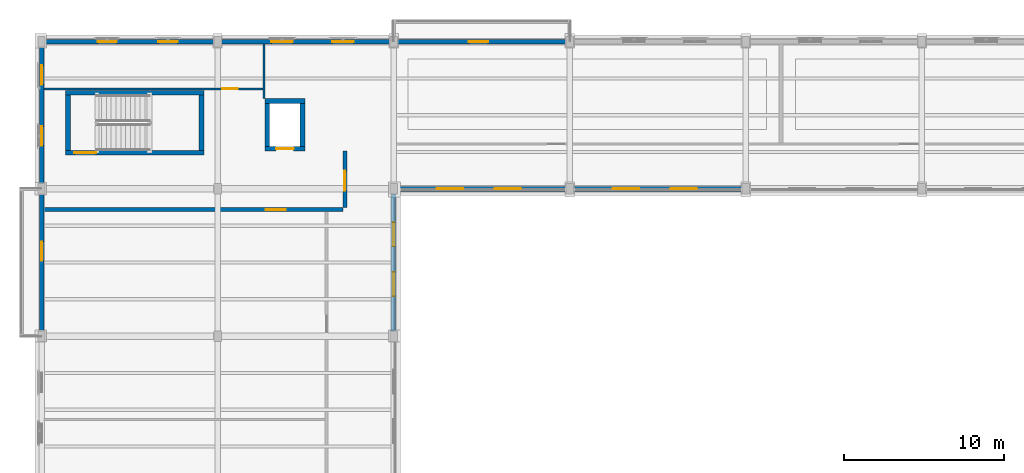
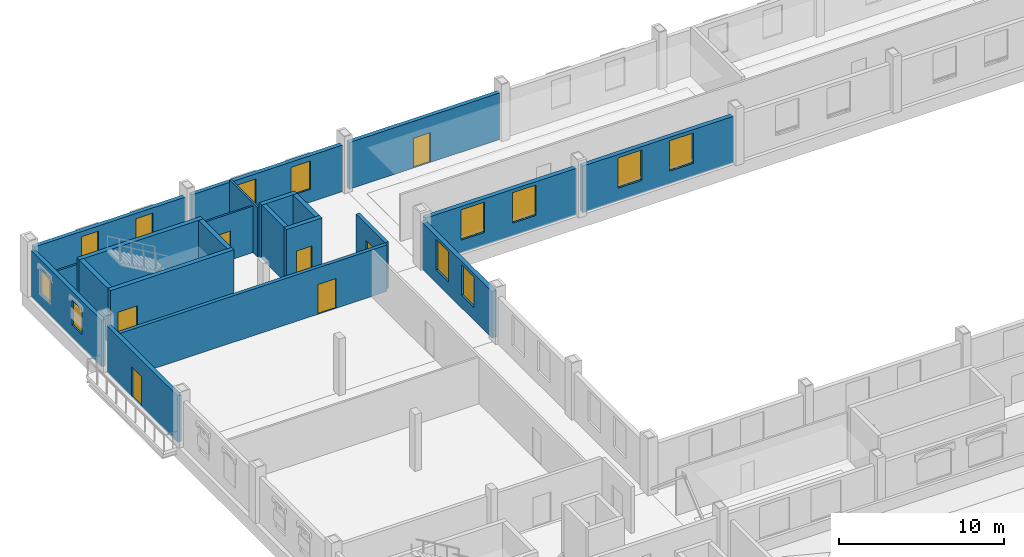
# One storey, part 26 of 43: 20 walls, 12 windows, 7 doors, 19 openings.
"""IFC4 building model written with IfcOpenShell, lengths in metres."""

from ifc_helpers import new_model, si_unit, direction, frame, frame_2d, origin, place, context, subcontext, project, spatial, rectangle, extrude, material, layer, layer_set, type_object, element, fill, save


model = new_model("IFC4")

# Units and contexts
model_context = context("Model", 3, precision=1e-05, world=origin(), true_north=direction((0.0, 1.0)))
body_context = subcontext(model_context, "Body", "Model", "MODEL_VIEW")
ifc_project = project(units=[si_unit("LENGTHUNIT", "METRE"), si_unit("AREAUNIT", "SQUARE_METRE"), si_unit("VOLUMEUNIT", "CUBIC_METRE"), si_unit("PLANEANGLEUNIT", "RADIAN"), si_unit("MASSUNIT", "GRAM", prefix="KILO")], contexts=[model_context])

# Site, building, storey
site_placement = place(None, origin())
site = spatial("IfcSite", under=ifc_project, at=site_placement, CompositionType="ELEMENT")
building_placement = place(site_placement, origin())
building = spatial("IfcBuilding", under=site, at=building_placement, Name="Caurita Quay Ferry Terminal", CompositionType="ELEMENT")
storey_placement = place(building_placement, frame((0.0, 0.0, 14.10009765625)))
storey = spatial("IfcBuildingStorey", under=building, at=storey_placement, Name="L03", CompositionType="ELEMENT", Elevation=14.10009765625)

# Wall, opening, door
ifc_material_1 = material(Name="Warm-white lime stucco masonry", Category="masonry")
ifc_layer_1 = layer(ifc_material_1, 0.239990234375, Name="Interior partitioning wall 240 mm")
ifc_layer_set_1 = layer_set([ifc_layer_1], Name="Warm-white lime stucco masonry")
wall_type_1 = type_object("IfcWallType", Name="WL-COMP-240", PredefinedType="PARTITIONING", material=ifc_layer_set_1)
wall_1_placement = place(storey_placement, frame((0.14501953125, 106.5, 0.0), z_axis=(0.0, 0.0, 1.0), x_axis=(1.0, 0.0, 0.0)))
wall_1 = element("IfcWall", 1, at=wall_1_placement, inside=storey, type_object=wall_type_1, Name="L03 Interior Partition IW-L03-100", PredefinedType="PARTITIONING", context=body_context, shape_type="SweptSolid", body=[
    extrude(rectangle(XDim=18.679931640625, YDim=0.239990234375, at=frame_2d((9.33984375, 0.0))), origin(), (0.0, 0.0, 1.0), 3.43896484375),
])
opening_1_placement = place(wall_1_placement, frame((13.85498046875, 0.0, 0.0)))
opening_1 = element("IfcOpeningElement", 2, at=opening_1_placement, cuts=wall_1, Name="Opening FD-01", PredefinedType="OPENING", context=body_context, shape_type="SweptSolid", body=[
    extrude(rectangle(XDim=1.25, YDim=2.199951171875, at=frame_2d((0.625, 1.10009765625))), frame((0.0, 0.1298828125, 0.0), z_axis=(0.0, -1.0, 0.0), x_axis=(1.0, 0.0, 0.0)), (0.0, 0.0, 1.0), 0.260009765625),
])
ifc_material_2 = material(Name="Anodized aluminium 6063-T6", Category="aluminium")
door_type_1 = type_object("IfcDoorType", Name="DR-FF-1100", OperationType="NOTDEFINED", PredefinedType="DOOR", material=ifc_material_2)
door_1_placement = place(opening_1_placement, origin())
door_1 = element("IfcDoor", 3, at=door_1_placement, inside=storey, type_object=door_type_1, Name="Firefighting Lobby L03 North Door", OperationType="SINGLE_SWING_LEFT", OverallHeight=2.199951171875, OverallWidth=1.25, PredefinedType="DOOR", context=body_context, shape_type="SweptSolid", body=[
    extrude(rectangle(XDim=1.25, YDim=2.199951171875, at=frame_2d((0.625, 1.10009765625))), frame((0.0, 0.02490234375, 0.0), z_axis=(0.0, -1.0, 0.0), x_axis=(1.0, 0.0, 0.0)), (0.0, 0.0, 1.0), 0.050048828125),
])
fill(opening_1, door_1)

wall_2_placement = place(storey_placement, frame((18.949951171875, 106.625, 0.0), z_axis=(0.0, 0.0, 1.0), x_axis=(0.0, 1.0, 0.0)))
wall_2 = element("IfcWall", 4, at=wall_2_placement, inside=storey, type_object=wall_type_1, Name="L03 Interior Partition IW-L03-104", PredefinedType="PARTITIONING", context=body_context, shape_type="SweptSolid", body=[
    extrude(rectangle(XDim=3.52490234375, YDim=0.239990234375, at=frame_2d((1.762451171875, 0.0))), origin(), (0.0, 0.0, 1.0), 3.4365234375),
])
opening_2_placement = place(wall_2_placement, frame((1.054931640625, 0.0, 0.0)))
opening_2 = element("IfcOpeningElement", 5, at=opening_2_placement, cuts=wall_2, Name="Opening FD-01", PredefinedType="OPENING", context=body_context, shape_type="SweptSolid", body=[
    extrude(rectangle(XDim=1.25, YDim=2.199951171875, at=frame_2d((0.625, 1.10009765625))), frame((0.0, 0.1298828125, 0.0), z_axis=(0.0, -1.0, 0.0), x_axis=(1.0, 0.0, 0.0)), (0.0, 0.0, 1.0), 0.260009765625),
])
door_2_placement = place(opening_2_placement, origin())
door_2 = element("IfcDoor", 6, at=door_2_placement, inside=storey, type_object=door_type_1, Name="Firefighting Lobby L03 North East Door", OperationType="SINGLE_SWING_LEFT", OverallHeight=2.199951171875, OverallWidth=1.25, PredefinedType="DOOR", context=body_context, shape_type="SweptSolid", body=[
    extrude(rectangle(XDim=1.25, YDim=2.199951171875, at=frame_2d((0.625, 1.10009765625))), frame((0.0, 0.02490234375, 0.0), z_axis=(0.0, -1.0, 0.0), x_axis=(1.0, 0.0, 0.0)), (0.0, 0.0, 1.0), 0.050048828125),
])
fill(opening_2, door_2)

ifc_material_3 = material(Name="Reinforced concrete C35/45", Category="concrete")
ifc_layer_2 = layer(ifc_material_3, 0.300048828125, Name="Interior shear wall 300 mm")
ifc_layer_set_2 = layer_set([ifc_layer_2], Name="Reinforced concrete C35/45")
wall_type_2 = type_object("IfcWallType", Name="WL-CORE-300", PredefinedType="SHEAR", material=ifc_layer_set_2)
wall_3_placement = place(storey_placement, frame((1.5, 110.050048828125, 0.0), z_axis=(0.0, 0.0, 1.0), x_axis=(1.0, 0.0, 0.0)))
wall_3 = element("IfcWall", 7, at=wall_3_placement, inside=storey, type_object=wall_type_2, Name="L03 ST-01 Core Wall South", PredefinedType="SHEAR", context=body_context, shape_type="SweptSolid", body=[
    extrude(rectangle(XDim=8.64990234375, YDim=0.300048828125, at=frame_2d((4.324951171875, 0.0))), origin(), (0.0, 0.0, 1.0), 3.97998046875),
])
opening_3_placement = place(wall_3_placement, frame((0.550048828125, 0.0, 0.0)))
opening_3 = element("IfcOpeningElement", 8, at=opening_3_placement, cuts=wall_3, Name="Opening SD-01", PredefinedType="OPENING", context=body_context, shape_type="SweptSolid", body=[
    extrude(rectangle(XDim=1.35009765625, YDim=2.199951171875, at=frame_2d((0.675048828125, 1.10009765625))), frame((0.0, 0.159912109375, 0.0), z_axis=(0.0, -1.0, 0.0), x_axis=(1.0, 0.0, 0.0)), (0.0, 0.0, 1.0), 0.320068359375),
])
door_type_2 = type_object("IfcDoorType", Name="DR-ST-1200", OperationType="NOTDEFINED", PredefinedType="DOOR", material=ifc_material_2)
door_3_placement = place(opening_3_placement, origin())
door_3 = element("IfcDoor", 9, at=door_3_placement, inside=storey, type_object=door_type_2, Name="L03 Exit Stair ST-01 Fire Door", OperationType="SINGLE_SWING_RIGHT", OverallHeight=2.199951171875, OverallWidth=1.35009765625, PredefinedType="DOOR", context=body_context, shape_type="SweptSolid", body=[
    extrude(rectangle(XDim=1.35009765625, YDim=2.199951171875, at=frame_2d((0.675048828125, 1.10009765625))), frame((0.0, 0.02490234375, 0.0), z_axis=(0.0, -1.0, 0.0), x_axis=(1.0, 0.0, 0.0)), (0.0, 0.0, 1.0), 0.050048828125),
])
fill(opening_3, door_3)

# Walls
wall_4_placement = place(storey_placement, frame((10.14990234375, 113.81005859375, 0.0), z_axis=(0.0, 0.0, 1.0), x_axis=(-1.0, 0.0, 0.0)))
element("IfcWall", 10, at=wall_4_placement, inside=storey, type_object=wall_type_2, Name="L03 ST-01 Core Wall North", PredefinedType="SHEAR", context=body_context, shape_type="SweptSolid", body=[
    extrude(rectangle(XDim=8.64990234375, YDim=0.300048828125, at=frame_2d((4.324951171875, 0.0))), origin(), (0.0, 0.0, 1.0), 3.97998046875),
])
for number, where, z_axis, x_axis, name in (
    (11, (1.64990234375, 113.659912109375, 0.0), (0.0, 0.0, 1.0), (0.0, -1.0, 0.0), "L03 ST-01 Core Wall West"),
    (12, (10.0, 110.199951171875, 0.0), (0.0, 0.0, 1.0), (0.0, 1.0, 0.0), "L03 ST-01 Core Wall East"),
):
    element("IfcWall", number, at=place(storey_placement, frame(where, z_axis=z_axis, x_axis=x_axis)), inside=storey, type_object=wall_type_2, Name=name, PredefinedType="SHEAR", context=body_context, shape_type="SweptSolid", body=[
        extrude(rectangle(XDim=3.4599609375, YDim=0.300048828125, at=frame_2d((1.72998046875, 0.0))), origin(), (0.0, 0.0, 1.0), 3.97998046875),
    ])

# Wall, opening, door
wall_5_placement = place(storey_placement, frame((13.955078125, 110.304931640625, 0.0), z_axis=(0.0, 0.0, 1.0), x_axis=(1.0, 0.0, 0.0)))
wall_5 = element("IfcWall", 13, at=wall_5_placement, inside=storey, type_object=wall_type_2, Name="L03 Lift LF-01 Shaft Wall South", PredefinedType="SHEAR", context=body_context, shape_type="SweptSolid", body=[
    extrude(rectangle(XDim=2.489990234375, YDim=0.300048828125, at=frame_2d((1.2451171875, 0.0))), origin(), (0.0, 0.0, 1.0), 3.97998046875),
])
opening_4_placement = place(wall_5_placement, frame((0.695068359375, 0.0, 0.0)))
opening_4 = element("IfcOpeningElement", 14, at=opening_4_placement, cuts=wall_5, Name="Opening LD-01", PredefinedType="OPENING", context=body_context, shape_type="SweptSolid", body=[
    extrude(rectangle(XDim=1.10009765625, YDim=2.14990234375, at=frame_2d((0.550048828125, 1.074951171875))), frame((0.0, 0.159912109375, 0.0), z_axis=(0.0, -1.0, 0.0), x_axis=(1.0, 0.0, 0.0)), (0.0, 0.0, 1.0), 0.320068359375),
])
ifc_material_4 = material(Name="Bronze architectural metalwork", Category="metal")
door_type_3 = type_object("IfcDoorType", Name="DR-LD-01", OperationType="DOUBLE_DOOR_SLIDING", PredefinedType="DOOR", material=ifc_material_4)
door_4_placement = place(opening_4_placement, frame((1.10009765625, 0.0, 0.0), z_axis=(0.0, 0.0, 1.0), x_axis=(-1.0, 0.0, 0.0)))
door_4 = element("IfcDoor", 15, at=door_4_placement, inside=storey, type_object=door_type_3, Name="L03 Lift LF-01 Sliding Landing Door", OperationType="DOUBLE_DOOR_SLIDING", OverallHeight=2.14990234375, OverallWidth=1.10009765625, PredefinedType="DOOR", context=body_context, shape_type="SweptSolid", body=[
    extrude(rectangle(XDim=1.10009765625, YDim=2.14990234375, at=frame_2d((0.550048828125, 1.074951171875))), frame((0.0, 0.02490234375, 0.0), z_axis=(0.0, -1.0, 0.0), x_axis=(1.0, 0.0, 0.0)), (0.0, 0.0, 1.0), 0.050048828125),
])
fill(opening_4, door_4)

# Walls
wall_6_placement = place(storey_placement, frame((16.445068359375, 113.294921875, 0.0), z_axis=(0.0, 0.0, 1.0), x_axis=(-1.0, 0.0, 0.0)))
element("IfcWall", 16, at=wall_6_placement, inside=storey, type_object=wall_type_2, Name="L03 Lift LF-01 Shaft Wall North", PredefinedType="SHEAR", context=body_context, shape_type="SweptSolid", body=[
    extrude(rectangle(XDim=2.489990234375, YDim=0.300048828125, at=frame_2d((1.2451171875, 0.0))), origin(), (0.0, 0.0, 1.0), 3.97998046875),
])
for number, where, z_axis, x_axis, name in (
    (17, (14.10498046875, 113.14501953125, 0.0), (0.0, 0.0, 1.0), (0.0, -1.0, 0.0), "L03 Lift LF-01 Shaft Wall West"),
    (18, (16.294921875, 110.455078125, 0.0), (0.0, 0.0, 1.0), (0.0, 1.0, 0.0), "L03 Lift LF-01 Shaft Wall East"),
):
    element("IfcWall", number, at=place(storey_placement, frame(where, z_axis=z_axis, x_axis=x_axis)), inside=storey, type_object=wall_type_2, Name=name, PredefinedType="SHEAR", context=body_context, shape_type="SweptSolid", body=[
        extrude(rectangle(XDim=2.68994140625, YDim=0.300048828125, at=frame_2d((1.344970703125, 0.0))), origin(), (0.0, 0.0, 1.0), 3.97998046875),
    ])

# Wall, openings, windows
ifc_layer_3 = layer(ifc_material_1, 0.280029296875, Name="Exterior solidwall wall 280 mm")
ifc_layer_set_3 = layer_set([ifc_layer_3], Name="Warm-white lime stucco masonry")
wall_type_3 = type_object("IfcWallType", Name="WL-EXT-280", PredefinedType="SOLIDWALL", material=ifc_layer_set_3)
wall_7_placement = place(storey_placement, frame((10.777099609375, 117.0, 0.0), z_axis=(0.0, 0.0, 1.0), x_axis=(-1.0, 0.0, 0.0)))
wall_7 = element("IfcWall", 19, at=wall_7_placement, inside=storey, type_object=wall_type_3, Name="L03 Exterior Wall EW-L03-024", PredefinedType="SOLIDWALL", context=body_context, shape_type="SweptSolid", body=[
    extrude(rectangle(XDim=10.55419921875, YDim=0.280029296875, at=frame_2d((5.277099609375, 0.0))), origin(), (0.0, 0.0, 1.0), 3.4365234375),
])
opening_5_placement = place(wall_7_placement, frame((2.277099609375, 0.0, 0.949951171875)))
opening_5 = element("IfcOpeningElement", 20, at=opening_5_placement, cuts=wall_7, Name="Opening W-04", PredefinedType="OPENING", context=body_context, shape_type="SweptSolid", body=[
    extrude(rectangle(XDim=1.199951171875, YDim=2.10009765625, at=frame_2d((0.60009765625, 1.050048828125))), frame((0.0, 0.14990234375, 0.0), z_axis=(0.0, -1.0, 0.0), x_axis=(1.0, 0.0, 0.0)), (0.0, 0.0, 1.0), 0.300048828125),
])
opening_6_placement = place(wall_7_placement, frame((6.076904296875, 0.0, 0.949951171875)))
opening_6 = element("IfcOpeningElement", 21, at=opening_6_placement, cuts=wall_7, Name="Opening W-04", PredefinedType="OPENING", context=body_context, shape_type="SweptSolid", body=[
    extrude(rectangle(XDim=1.199951171875, YDim=2.10009765625, at=frame_2d((0.60009765625, 1.050048828125))), frame((0.0, 0.14990234375, 0.0), z_axis=(0.0, -1.0, 0.0), x_axis=(1.0, 0.0, 0.0)), (0.0, 0.0, 1.0), 0.300048828125),
])
ifc_material_5 = material(Name="Laminated solar-control insulated glass", Category="glass")
window_type_1 = type_object("IfcWindowType", Name="WIN-SC-1221", PartitioningType="SINGLE_PANEL", PredefinedType="WINDOW", material=ifc_material_5)
window_1_placement = place(opening_5_placement, origin())
window_1 = element("IfcWindow", 22, at=window_1_placement, inside=storey, type_object=window_type_1, Name="L03 Casement Window WN-L03-033", OverallHeight=2.10009765625, OverallWidth=1.199951171875, PartitioningType="SINGLE_PANEL", PredefinedType="WINDOW", context=body_context, shape_type="SweptSolid", body=[
    extrude(rectangle(XDim=1.199951171875, YDim=2.10009765625, at=frame_2d((0.60009765625, 1.050048828125))), frame((0.0, 0.030029296875, 0.0), z_axis=(0.0, -1.0, 0.0), x_axis=(1.0, 0.0, 0.0)), (0.0, 0.0, 1.0), 0.06005859375),
])
fill(opening_5, window_1)
window_2_placement = place(opening_6_placement, origin())
window_2 = element("IfcWindow", 23, at=window_2_placement, inside=storey, type_object=window_type_1, Name="L03 Casement Window WN-L03-034", OverallHeight=2.10009765625, OverallWidth=1.199951171875, PartitioningType="SINGLE_PANEL", PredefinedType="WINDOW", context=body_context, shape_type="SweptSolid", body=[
    extrude(rectangle(XDim=1.199951171875, YDim=2.10009765625, at=frame_2d((0.60009765625, 1.050048828125))), frame((0.0, 0.030029296875, 0.0), z_axis=(0.0, -1.0, 0.0), x_axis=(1.0, 0.0, 0.0)), (0.0, 0.0, 1.0), 0.06005859375),
])
fill(opening_6, window_2)

wall_8_placement = place(storey_placement, frame((21.777099609375, 117.0, 0.0), z_axis=(0.0, 0.0, 1.0), x_axis=(-1.0, 0.0, 0.0)))
wall_8 = element("IfcWall", 24, at=wall_8_placement, inside=storey, type_object=wall_type_3, Name="L03 Exterior Wall EW-L03-025", PredefinedType="SOLIDWALL", context=body_context, shape_type="SweptSolid", body=[
    extrude(rectangle(XDim=10.55419921875, YDim=0.280029296875, at=frame_2d((5.277099609375, 0.0))), origin(), (0.0, 0.0, 1.0), 3.4365234375),
])
opening_7_placement = place(wall_8_placement, frame((2.277099609375, 0.0, 0.949951171875)))
opening_7 = element("IfcOpeningElement", 25, at=opening_7_placement, cuts=wall_8, Name="Opening W-05", PredefinedType="OPENING", context=body_context, shape_type="SweptSolid", body=[
    extrude(rectangle(XDim=1.35009765625, YDim=2.10009765625, at=frame_2d((0.675048828125, 1.050048828125))), frame((0.0, 0.14990234375, 0.0), z_axis=(0.0, -1.0, 0.0), x_axis=(1.0, 0.0, 0.0)), (0.0, 0.0, 1.0), 0.300048828125),
])
opening_8_placement = place(wall_8_placement, frame((6.076904296875, 0.0, 0.949951171875)))
opening_8 = element("IfcOpeningElement", 26, at=opening_8_placement, cuts=wall_8, Name="Opening W-05", PredefinedType="OPENING", context=body_context, shape_type="SweptSolid", body=[
    extrude(rectangle(XDim=1.35009765625, YDim=2.10009765625, at=frame_2d((0.675048828125, 1.050048828125))), frame((0.0, 0.14990234375, 0.0), z_axis=(0.0, -1.0, 0.0), x_axis=(1.0, 0.0, 0.0)), (0.0, 0.0, 1.0), 0.300048828125),
])
window_type_2 = type_object("IfcWindowType", Name="WIN-SC-13521", PartitioningType="SINGLE_PANEL", PredefinedType="WINDOW", material=ifc_material_5)
window_3_placement = place(opening_7_placement, origin())
window_3 = element("IfcWindow", 27, at=window_3_placement, inside=storey, type_object=window_type_2, Name="L03 Casement Window WN-L03-035", OverallHeight=2.10009765625, OverallWidth=1.35009765625, PartitioningType="SINGLE_PANEL", PredefinedType="WINDOW", context=body_context, shape_type="SweptSolid", body=[
    extrude(rectangle(XDim=1.35009765625, YDim=2.10009765625, at=frame_2d((0.675048828125, 1.050048828125))), frame((0.0, 0.030029296875, 0.0), z_axis=(0.0, -1.0, 0.0), x_axis=(1.0, 0.0, 0.0)), (0.0, 0.0, 1.0), 0.06005859375),
])
fill(opening_7, window_3)
window_4_placement = place(opening_8_placement, origin())
window_4 = element("IfcWindow", 28, at=window_4_placement, inside=storey, type_object=window_type_2, Name="L03 Casement Window WN-L03-036", OverallHeight=2.10009765625, OverallWidth=1.35009765625, PartitioningType="SINGLE_PANEL", PredefinedType="WINDOW", context=body_context, shape_type="SweptSolid", body=[
    extrude(rectangle(XDim=1.35009765625, YDim=2.10009765625, at=frame_2d((0.675048828125, 1.050048828125))), frame((0.0, 0.030029296875, 0.0), z_axis=(0.0, -1.0, 0.0), x_axis=(1.0, 0.0, 0.0)), (0.0, 0.0, 1.0), 0.06005859375),
])
fill(opening_8, window_4)

# Wall, opening, door
wall_9_placement = place(storey_placement, frame((32.777099609375, 117.0, 0.0), z_axis=(0.0, 0.0, 1.0), x_axis=(-1.0, 0.0, 0.0)))
wall_9 = element("IfcWall", 29, at=wall_9_placement, inside=storey, type_object=wall_type_3, Name="L03 Exterior Wall EW-L03-026", PredefinedType="SOLIDWALL", context=body_context, shape_type="SweptSolid", body=[
    extrude(rectangle(XDim=10.55419921875, YDim=0.280029296875, at=frame_2d((5.277099609375, 0.0))), origin(), (0.0, 0.0, 1.0), 3.4462890625),
])
opening_9_placement = place(wall_9_placement, frame((4.876953125, 0.0, 0.0)))
opening_9 = element("IfcOpeningElement", 30, at=opening_9_placement, cuts=wall_9, Name="Opening TD-01", PredefinedType="OPENING", context=body_context, shape_type="SweptSolid", body=[
    extrude(rectangle(XDim=1.199951171875, YDim=2.199951171875, at=frame_2d((0.60009765625, 1.10009765625))), frame((0.0, 0.14990234375, 0.0), z_axis=(0.0, -1.0, 0.0), x_axis=(1.0, 0.0, 0.0)), (0.0, 0.0, 1.0), 0.300048828125),
])
door_type_4 = type_object("IfcDoorType", Name="DR-TER-1222", OperationType="NOTDEFINED", PredefinedType="DOOR", material=ifc_material_2)
door_5_placement = place(opening_9_placement, frame((1.199951171875, 0.0, 0.0), z_axis=(0.0, 0.0, 1.0), x_axis=(-1.0, 0.0, 0.0)))
door_5 = element("IfcDoor", 31, at=door_5_placement, inside=storey, type_object=door_type_4, Name="L03 North Rejas Balcony Door TD-BN-L03", OperationType="SINGLE_SWING_RIGHT", OverallHeight=2.199951171875, OverallWidth=1.199951171875, PredefinedType="DOOR", context=body_context, shape_type="SweptSolid", body=[
    extrude(rectangle(XDim=1.199951171875, YDim=2.199951171875, at=frame_2d((0.60009765625, 1.10009765625))), frame((0.0, 0.02490234375, 0.0), z_axis=(0.0, -1.0, 0.0), x_axis=(1.0, 0.0, 0.0)), (0.0, 0.0, 1.0), 0.050048828125),
])
fill(opening_9, door_5)

wall_10_placement = place(storey_placement, frame((0.0, 107.47705078125, 0.0), z_axis=(0.0, 0.0, 1.0), x_axis=(0.0, -1.0, 0.0)))
wall_10 = element("IfcWall", 32, at=wall_10_placement, inside=storey, type_object=wall_type_3, Name="L03 Exterior Wall EW-L03-050", PredefinedType="SOLIDWALL", context=body_context, shape_type="SweptSolid", body=[
    extrude(rectangle(XDim=8.553955078125, YDim=0.280029296875, at=frame_2d((4.27685546875, 0.0))), origin(), (0.0, 0.0, 1.0), 3.43896484375),
])
opening_10_placement = place(wall_10_placement, frame((2.97705078125, 0.0, 0.0)))
opening_10 = element("IfcOpeningElement", 33, at=opening_10_placement, cuts=wall_10, Name="Opening TD-01", PredefinedType="OPENING", context=body_context, shape_type="SweptSolid", body=[
    extrude(rectangle(XDim=1.199951171875, YDim=2.199951171875, at=frame_2d((0.60009765625, 1.10009765625))), frame((0.0, 0.14990234375, 0.0), z_axis=(0.0, -1.0, 0.0), x_axis=(1.0, 0.0, 0.0)), (0.0, 0.0, 1.0), 0.300048828125),
])
door_6_placement = place(opening_10_placement, frame((1.199951171875, 0.0, 0.0), z_axis=(0.0, 0.0, 1.0), x_axis=(-1.0, 0.0, 0.0)))
door_6 = element("IfcDoor", 34, at=door_6_placement, inside=storey, type_object=door_type_4, Name="L03 Harbour Master Balcony Door TD-BW3", OperationType="SINGLE_SWING_LEFT", OverallHeight=2.199951171875, OverallWidth=1.199951171875, PredefinedType="DOOR", context=body_context, shape_type="SweptSolid", body=[
    extrude(rectangle(XDim=1.199951171875, YDim=2.199951171875, at=frame_2d((0.60009765625, 1.10009765625))), frame((0.0, 0.02490234375, 0.0), z_axis=(0.0, -1.0, 0.0), x_axis=(1.0, 0.0, 0.0)), (0.0, 0.0, 1.0), 0.050048828125),
])
fill(opening_10, door_6)

# Wall, openings, windows
wall_11_placement = place(storey_placement, frame((0.0, 116.677001953125, 0.0), z_axis=(0.0, 0.0, 1.0), x_axis=(0.0, -1.0, 0.0)))
wall_11 = element("IfcWall", 35, at=wall_11_placement, inside=storey, type_object=wall_type_3, Name="L03 Exterior Wall EW-L03-051", PredefinedType="SOLIDWALL", context=body_context, shape_type="SweptSolid", body=[
    extrude(rectangle(XDim=8.553955078125, YDim=0.280029296875, at=frame_2d((4.27685546875, 0.0))), origin(), (0.0, 0.0, 1.0), 3.43896484375),
])
opening_11_placement = place(wall_11_placement, frame((1.162109375, 0.0, 0.949951171875)))
opening_11 = element("IfcOpeningElement", 36, at=opening_11_placement, cuts=wall_11, Name="Opening W-03", PredefinedType="OPENING", context=body_context, shape_type="SweptSolid", body=[
    extrude(rectangle(XDim=1.199951171875, YDim=1.800048828125, at=frame_2d((0.60009765625, 0.89990234375))), frame((0.0, 0.14990234375, 0.0), z_axis=(0.0, -1.0, 0.0), x_axis=(1.0, 0.0, 0.0)), (0.0, 0.0, 1.0), 0.300048828125),
])
opening_12_placement = place(wall_11_placement, frame((4.97705078125, 0.0, 0.949951171875)))
opening_12 = element("IfcOpeningElement", 37, at=opening_12_placement, cuts=wall_11, Name="Opening W-03", PredefinedType="OPENING", context=body_context, shape_type="SweptSolid", body=[
    extrude(rectangle(XDim=1.199951171875, YDim=1.800048828125, at=frame_2d((0.60009765625, 0.89990234375))), frame((0.0, 0.14990234375, 0.0), z_axis=(0.0, -1.0, 0.0), x_axis=(1.0, 0.0, 0.0)), (0.0, 0.0, 1.0), 0.300048828125),
])
window_type_3 = type_object("IfcWindowType", Name="WIN-SC-1218", PartitioningType="SINGLE_PANEL", PredefinedType="WINDOW", material=ifc_material_5)
window_5_placement = place(opening_11_placement, origin())
window_5 = element("IfcWindow", 38, at=window_5_placement, inside=storey, type_object=window_type_3, Name="L03 Casement Window WN-L03-075", OverallHeight=1.800048828125, OverallWidth=1.199951171875, PartitioningType="SINGLE_PANEL", PredefinedType="WINDOW", context=body_context, shape_type="SweptSolid", body=[
    extrude(rectangle(XDim=1.199951171875, YDim=1.800048828125, at=frame_2d((0.60009765625, 0.89990234375))), frame((0.0, 0.030029296875, 0.0), z_axis=(0.0, -1.0, 0.0), x_axis=(1.0, 0.0, 0.0)), (0.0, 0.0, 1.0), 0.06005859375),
])
fill(opening_11, window_5)
window_6_placement = place(opening_12_placement, origin())
window_6 = element("IfcWindow", 39, at=window_6_placement, inside=storey, type_object=window_type_3, Name="L03 Casement Window WN-L03-076", OverallHeight=1.800048828125, OverallWidth=1.199951171875, PartitioningType="SINGLE_PANEL", PredefinedType="WINDOW", context=body_context, shape_type="SweptSolid", body=[
    extrude(rectangle(XDim=1.199951171875, YDim=1.800048828125, at=frame_2d((0.60009765625, 0.89990234375))), frame((0.0, 0.030029296875, 0.0), z_axis=(0.0, -1.0, 0.0), x_axis=(1.0, 0.0, 0.0)), (0.0, 0.0, 1.0), 0.06005859375),
])
fill(opening_12, window_6)

ifc_layer_4 = layer(ifc_material_1, 0.31005859375, Name="Exterior solidwall wall 310 mm")
ifc_layer_set_4 = layer_set([ifc_layer_4], Name="Warm-white lime stucco masonry")
wall_type_4 = type_object("IfcWallType", Name="WL-EXT-310", PredefinedType="SOLIDWALL", material=ifc_layer_set_4)
wall_12_placement = place(storey_placement, frame((22.222900390625, 107.800048828125, 0.0), z_axis=(0.0, 0.0, 1.0), x_axis=(1.0, 0.0, 0.0)))
wall_12 = element("IfcWall", 40, at=wall_12_placement, inside=storey, type_object=wall_type_4, Name="L03 Exterior Wall EW-L03-118", PredefinedType="SOLIDWALL", context=body_context, shape_type="SweptSolid", body=[
    extrude(rectangle(XDim=10.55419921875, YDim=0.31005859375, at=frame_2d((5.277099609375, 0.0))), origin(), (0.0, 0.0, 1.0), 3.4462890625),
])
opening_13_placement = place(wall_12_placement, frame((2.47705078125, 0.0, 0.949951171875)))
opening_13 = element("IfcOpeningElement", 41, at=opening_13_placement, cuts=wall_12, Name="Opening W-08", PredefinedType="OPENING", context=body_context, shape_type="SweptSolid", body=[
    extrude(rectangle(XDim=1.64990234375, YDim=2.25, at=frame_2d((0.824951171875, 1.125))), frame((0.0, 0.1650390625, 0.0), z_axis=(0.0, -1.0, 0.0), x_axis=(1.0, 0.0, 0.0)), (0.0, 0.0, 1.0), 0.330078125),
])
opening_14_placement = place(wall_12_placement, frame((6.076904296875, 0.0, 0.949951171875)))
opening_14 = element("IfcOpeningElement", 42, at=opening_14_placement, cuts=wall_12, Name="Opening W-08", PredefinedType="OPENING", context=body_context, shape_type="SweptSolid", body=[
    extrude(rectangle(XDim=1.64990234375, YDim=2.25, at=frame_2d((0.824951171875, 1.125))), frame((0.0, 0.1650390625, 0.0), z_axis=(0.0, -1.0, 0.0), x_axis=(1.0, 0.0, 0.0)), (0.0, 0.0, 1.0), 0.330078125),
])
window_type_4 = type_object("IfcWindowType", Name="WIN-SC-16522", PartitioningType="SINGLE_PANEL", PredefinedType="WINDOW", material=ifc_material_5)
window_7_placement = place(opening_13_placement, origin())
window_7 = element("IfcWindow", 43, at=window_7_placement, inside=storey, type_object=window_type_4, Name="L03 Casement Window WN-L03-175", OverallHeight=2.25, OverallWidth=1.64990234375, PartitioningType="SINGLE_PANEL", PredefinedType="WINDOW", context=body_context, shape_type="SweptSolid", body=[
    extrude(rectangle(XDim=1.64990234375, YDim=2.25, at=frame_2d((0.824951171875, 1.125))), frame((0.0, 0.030029296875, 0.0), z_axis=(0.0, -1.0, 0.0), x_axis=(1.0, 0.0, 0.0)), (0.0, 0.0, 1.0), 0.06005859375),
])
fill(opening_13, window_7)
window_8_placement = place(opening_14_placement, origin())
window_8 = element("IfcWindow", 44, at=window_8_placement, inside=storey, type_object=window_type_4, Name="L03 Casement Window WN-L03-176", OverallHeight=2.25, OverallWidth=1.64990234375, PartitioningType="SINGLE_PANEL", PredefinedType="WINDOW", context=body_context, shape_type="SweptSolid", body=[
    extrude(rectangle(XDim=1.64990234375, YDim=2.25, at=frame_2d((0.824951171875, 1.125))), frame((0.0, 0.030029296875, 0.0), z_axis=(0.0, -1.0, 0.0), x_axis=(1.0, 0.0, 0.0)), (0.0, 0.0, 1.0), 0.06005859375),
])
fill(opening_14, window_8)

wall_13_placement = place(storey_placement, frame((33.222900390625, 107.800048828125, 0.0), z_axis=(0.0, 0.0, 1.0), x_axis=(1.0, 0.0, 0.0)))
wall_13 = element("IfcWall", 45, at=wall_13_placement, inside=storey, type_object=wall_type_4, Name="L03 Exterior Wall EW-L03-119", PredefinedType="SOLIDWALL", context=body_context, shape_type="SweptSolid", body=[
    extrude(rectangle(XDim=10.55419921875, YDim=0.31005859375, at=frame_2d((5.277099609375, 0.0))), origin(), (0.0, 0.0, 1.0), 3.4462890625),
])
opening_15_placement = place(wall_13_placement, frame((2.47705078125, 0.0, 0.949951171875)))
opening_15 = element("IfcOpeningElement", 46, at=opening_15_placement, cuts=wall_13, Name="Opening W-08", PredefinedType="OPENING", context=body_context, shape_type="SweptSolid", body=[
    extrude(rectangle(XDim=1.64990234375, YDim=2.25, at=frame_2d((0.824951171875, 1.125))), frame((0.0, 0.1650390625, 0.0), z_axis=(0.0, -1.0, 0.0), x_axis=(1.0, 0.0, 0.0)), (0.0, 0.0, 1.0), 0.330078125),
])
opening_16_placement = place(wall_13_placement, frame((6.076904296875, 0.0, 0.949951171875)))
opening_16 = element("IfcOpeningElement", 47, at=opening_16_placement, cuts=wall_13, Name="Opening W-08", PredefinedType="OPENING", context=body_context, shape_type="SweptSolid", body=[
    extrude(rectangle(XDim=1.64990234375, YDim=2.25, at=frame_2d((0.824951171875, 1.125))), frame((0.0, 0.1650390625, 0.0), z_axis=(0.0, -1.0, 0.0), x_axis=(1.0, 0.0, 0.0)), (0.0, 0.0, 1.0), 0.330078125),
])
window_9_placement = place(opening_15_placement, origin())
window_9 = element("IfcWindow", 48, at=window_9_placement, inside=storey, type_object=window_type_4, Name="L03 Casement Window WN-L03-177", OverallHeight=2.25, OverallWidth=1.64990234375, PartitioningType="SINGLE_PANEL", PredefinedType="WINDOW", context=body_context, shape_type="SweptSolid", body=[
    extrude(rectangle(XDim=1.64990234375, YDim=2.25, at=frame_2d((0.824951171875, 1.125))), frame((0.0, 0.030029296875, 0.0), z_axis=(0.0, -1.0, 0.0), x_axis=(1.0, 0.0, 0.0)), (0.0, 0.0, 1.0), 0.06005859375),
])
fill(opening_15, window_9)
window_10_placement = place(opening_16_placement, origin())
window_10 = element("IfcWindow", 49, at=window_10_placement, inside=storey, type_object=window_type_4, Name="L03 Casement Window WN-L03-178", OverallHeight=2.25, OverallWidth=1.64990234375, PartitioningType="SINGLE_PANEL", PredefinedType="WINDOW", context=body_context, shape_type="SweptSolid", body=[
    extrude(rectangle(XDim=1.64990234375, YDim=2.25, at=frame_2d((0.824951171875, 1.125))), frame((0.0, 0.030029296875, 0.0), z_axis=(0.0, -1.0, 0.0), x_axis=(1.0, 0.0, 0.0)), (0.0, 0.0, 1.0), 0.06005859375),
])
fill(opening_16, window_10)

wall_14_placement = place(storey_placement, frame((22.0, 98.923095703125, 0.0), z_axis=(0.0, 0.0, 1.0), x_axis=(0.0, 1.0, 0.0)))
wall_14 = element("IfcWall", 50, at=wall_14_placement, inside=storey, type_object=wall_type_4, Name="L03 Exterior Wall EW-L03-142", PredefinedType="SOLIDWALL", context=body_context, shape_type="SweptSolid", body=[
    extrude(rectangle(XDim=8.553955078125, YDim=0.31005859375, at=frame_2d((4.27685546875, 0.0))), origin(), (0.0, 0.0, 1.0), 3.43896484375),
])
opening_17_placement = place(wall_14_placement, frame((2.177001953125, 0.0, 0.949951171875)))
opening_17 = element("IfcOpeningElement", 51, at=opening_17_placement, cuts=wall_14, Name="Opening W-07", PredefinedType="OPENING", context=body_context, shape_type="SweptSolid", body=[
    extrude(rectangle(XDim=1.5, YDim=2.25, at=frame_2d((0.75, 1.125))), frame((0.0, 0.1650390625, 0.0), z_axis=(0.0, -1.0, 0.0), x_axis=(1.0, 0.0, 0.0)), (0.0, 0.0, 1.0), 0.330078125),
])
opening_18_placement = place(wall_14_placement, frame((5.277099609375, 0.0, 0.949951171875)))
opening_18 = element("IfcOpeningElement", 52, at=opening_18_placement, cuts=wall_14, Name="Opening W-07", PredefinedType="OPENING", context=body_context, shape_type="SweptSolid", body=[
    extrude(rectangle(XDim=1.5, YDim=2.25, at=frame_2d((0.75, 1.125))), frame((0.0, 0.1650390625, 0.0), z_axis=(0.0, -1.0, 0.0), x_axis=(1.0, 0.0, 0.0)), (0.0, 0.0, 1.0), 0.330078125),
])
window_type_5 = type_object("IfcWindowType", Name="WIN-SC-1522", PartitioningType="SINGLE_PANEL", PredefinedType="WINDOW", material=ifc_material_5)
window_11_placement = place(opening_17_placement, origin())
window_11 = element("IfcWindow", 53, at=window_11_placement, inside=storey, type_object=window_type_5, Name="L03 Casement Window WN-L03-223", OverallHeight=2.25, OverallWidth=1.5, PartitioningType="SINGLE_PANEL", PredefinedType="WINDOW", context=body_context, shape_type="SweptSolid", body=[
    extrude(rectangle(XDim=1.5, YDim=2.25, at=frame_2d((0.75, 1.125))), frame((0.0, 0.030029296875, 0.0), z_axis=(0.0, -1.0, 0.0), x_axis=(1.0, 0.0, 0.0)), (0.0, 0.0, 1.0), 0.06005859375),
])
fill(opening_17, window_11)
window_12_placement = place(opening_18_placement, origin())
window_12 = element("IfcWindow", 54, at=window_12_placement, inside=storey, type_object=window_type_5, Name="L03 Casement Window WN-L03-224", OverallHeight=2.25, OverallWidth=1.5, PartitioningType="SINGLE_PANEL", PredefinedType="WINDOW", context=body_context, shape_type="SweptSolid", body=[
    extrude(rectangle(XDim=1.5, YDim=2.25, at=frame_2d((0.75, 1.125))), frame((0.0, 0.030029296875, 0.0), z_axis=(0.0, -1.0, 0.0), x_axis=(1.0, 0.0, 0.0)), (0.0, 0.0, 1.0), 0.06005859375),
])
fill(opening_18, window_12)

# Wall, opening, door
ifc_material_6 = material(Name="Gypsum board partition", Category="masonry")
ifc_layer_5 = layer(ifc_material_6, 0.1298828125, Name="Interior partitioning wall 130 mm")
ifc_layer_set_5 = layer_set([ifc_layer_5], Name="Gypsum board partition")
wall_type_5 = type_object("IfcWallType", Name="WL-PART-130", PredefinedType="PARTITIONING", material=ifc_layer_set_5)
wall_15_placement = place(storey_placement, frame((0.14501953125, 114.050048828125, 0.0), z_axis=(0.0, 0.0, 1.0), x_axis=(1.0, 0.0, 0.0)))
wall_15 = element("IfcWall", 55, at=wall_15_placement, inside=storey, type_object=wall_type_5, Name="L03 Interior Partition IW-L03-106", PredefinedType="PARTITIONING", context=body_context, shape_type="SweptSolid", body=[
    extrude(rectangle(XDim=13.68505859375, YDim=0.1298828125, at=frame_2d((6.842529296875, 0.0))), origin(), (0.0, 0.0, 1.0), 3.43896484375),
])
opening_19_placement = place(wall_15_placement, frame((11.155029296875, 0.0, 0.0)))
opening_19 = element("IfcOpeningElement", 56, at=opening_19_placement, cuts=wall_15, Name="Opening ID-06", PredefinedType="OPENING", context=body_context, shape_type="SweptSolid", body=[
    extrude(rectangle(XDim=0.949951171875, YDim=2.14990234375, at=frame_2d((0.47509765625, 1.074951171875))), frame((0.0, 0.074951171875, 0.0), z_axis=(0.0, -1.0, 0.0), x_axis=(1.0, 0.0, 0.0)), (0.0, 0.0, 1.0), 0.14990234375),
])
ifc_material_7 = material(Name="Tropical mahogany hardwood", Category="wood")
door_type_5 = type_object("IfcDoorType", Name="DR-OFF-0950", OperationType="NOTDEFINED", PredefinedType="DOOR", material=ifc_material_7)
door_7_placement = place(opening_19_placement, origin())
door_7 = element("IfcDoor", 57, at=door_7_placement, inside=storey, type_object=door_type_5, Name="Maritime Search and Rescue Planning Door", OperationType="SINGLE_SWING_LEFT", OverallHeight=2.14990234375, OverallWidth=0.949951171875, PredefinedType="DOOR", context=body_context, shape_type="SweptSolid", body=[
    extrude(rectangle(XDim=0.949951171875, YDim=2.14990234375, at=frame_2d((0.47509765625, 1.074951171875))), frame((0.0, 0.02490234375, 0.0), z_axis=(0.0, -1.0, 0.0), x_axis=(1.0, 0.0, 0.0)), (0.0, 0.0, 1.0), 0.050048828125),
])
fill(opening_19, door_7)

# Wall
wall_16_placement = place(storey_placement, frame((13.89990234375, 113.449951171875, 0.0), z_axis=(0.0, 0.0, 1.0), x_axis=(0.0, 1.0, 0.0)))
element("IfcWall", 58, at=wall_16_placement, inside=storey, type_object=wall_type_5, Name="L03 Interior Partition IW-L03-107", PredefinedType="PARTITIONING", context=body_context, shape_type="SweptSolid", body=[
    extrude(rectangle(XDim=3.405029296875, YDim=0.1298828125, at=frame_2d((1.70263671875, 0.0))), origin(), (0.0, 0.0, 1.0), 3.66748046875),
])

save(model, "model.ifc")
